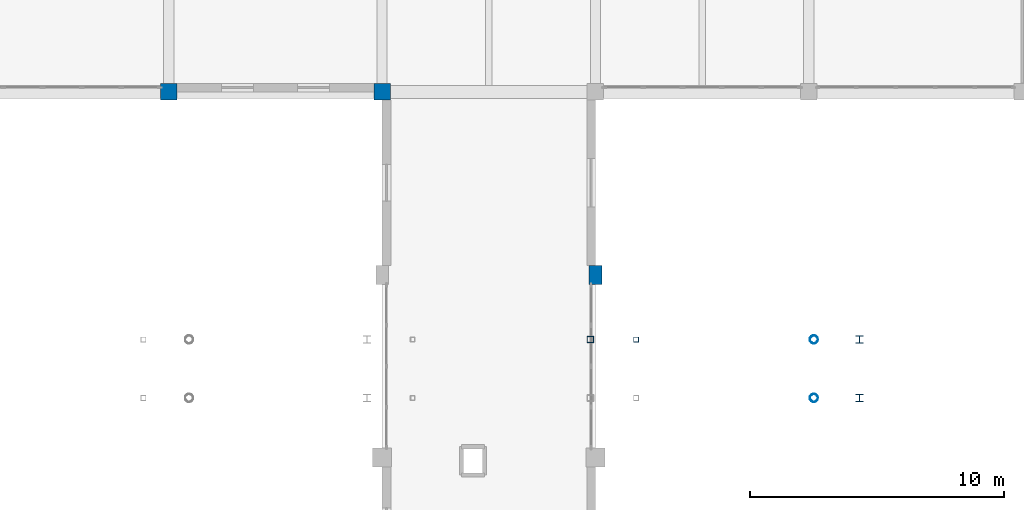
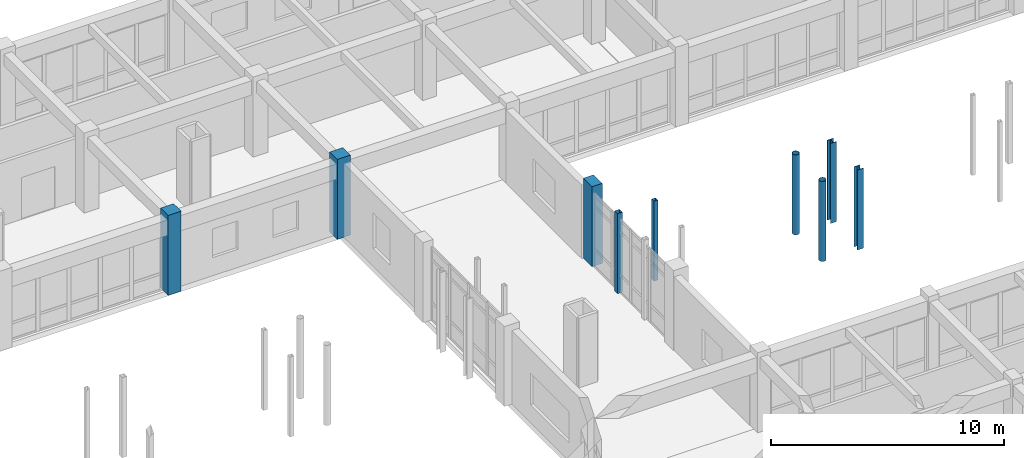
# One storey, part 24 of 147: 9 columns.
"""IFC4 building model written with IfcOpenShell, lengths in metres."""

from ifc_helpers import new_model, si_unit, direction, frame, origin, origin_2d, place, context, subcontext, project, spatial, rectangle, hollow_rectangle, hollow_circle, i_section, extrude, material, material_profile, profile_set, type_object, element, save


model = new_model("IFC4")

# Units and contexts
model_context = context("Model", 3, precision=1e-05, world=origin(), true_north=direction((0.0, 1.0)))
body_context = subcontext(model_context, "Body", "Model", "MODEL_VIEW")
ifc_project = project(units=[si_unit("LENGTHUNIT", "METRE"), si_unit("AREAUNIT", "SQUARE_METRE"), si_unit("VOLUMEUNIT", "CUBIC_METRE"), si_unit("PLANEANGLEUNIT", "RADIAN"), si_unit("MASSUNIT", "GRAM", prefix="KILO")], contexts=[model_context])

# Site, building, storey
site_placement = place(None, origin())
site = spatial("IfcSite", under=ifc_project, at=site_placement, CompositionType="ELEMENT")
building_placement = place(site_placement, origin())
building = spatial("IfcBuilding", under=site, at=building_placement, Name="Malvenik Polytechnic", CompositionType="ELEMENT")
storey_placement = place(building_placement, frame((0.0, 0.0, 5.10009765625)))
storey = spatial("IfcBuildingStorey", under=building, at=storey_placement, Name="L01", CompositionType="ELEMENT", Elevation=5.10009765625)

# Columns
ifc_material_1 = material(Name="Concrete C35/45", Category="concrete")
ifc_material_profile_1 = material_profile(ifc_material_1, rectangle(XDim=0.64990234375, YDim=0.64990234375, at=origin_2d()), Name="RC COL 650x650")
ifc_profile_set_1 = profile_set([ifc_material_profile_1], Name="Concrete C35/45")
column_type_1 = type_object("IfcColumnType", Name="STR-COL-C-05", PredefinedType="COLUMN", material=ifc_profile_set_1)
for number, where, z_axis, x_axis, name in (
    (1, (67.199951171875, 115.199951171875, 0.0), (0.0, 0.0, 1.0), (1.0, 0.0, 0.0), "Column C-05 L01 (67.2,115.2)"),
    (2, (75.60009765625, 115.199951171875, 0.0), (0.0, 0.0, 1.0), (1.0, 0.0, 0.0), "Column C-05 L01 (75.6,115.2)"),
):
    element("IfcColumn", number, at=place(storey_placement, frame(where, z_axis=z_axis, x_axis=x_axis)), inside=storey, type_object=column_type_1, Name=name, PredefinedType="COLUMN", context=body_context, shape_type="SweptSolid", body=[
        extrude(rectangle(XDim=0.64990234375, YDim=0.64990234375, at=origin_2d()), origin(), (0.0, 0.0, 1.0), 4.199951171875),
    ])
ifc_material_profile_2 = material_profile(ifc_material_1, rectangle(XDim=0.5, YDim=0.75, at=origin_2d()), Name="RC COL 750x500")
ifc_profile_set_2 = profile_set([ifc_material_profile_2], Name="Concrete C35/45")
column_type_2 = type_object("IfcColumnType", Name="STR-COL-C-14", PredefinedType="COLUMN", material=ifc_profile_set_2)
column_1_placement = place(storey_placement, frame((84.0, 108.0, 0.0), z_axis=(0.0, 0.0, 1.0), x_axis=(1.0, 0.0, 0.0)))
element("IfcColumn", 3, at=column_1_placement, inside=storey, type_object=column_type_2, Name="Column C-14 L01 (84.0,108.0)", PredefinedType="COLUMN", context=body_context, shape_type="SweptSolid", body=[
    extrude(rectangle(XDim=0.5, YDim=0.75, at=origin_2d()), origin(), (0.0, 0.0, 1.0), 4.199951171875),
])
ifc_material_2 = material(Name="Steel S355J2H", Category="steel")
ifc_material_profile_3 = material_profile(ifc_material_2, hollow_rectangle(XDim=0.25, YDim=0.25, WallThickness=0.010009765625, at=origin_2d()), Name="SHS 250x250x10.0")
ifc_profile_set_3 = profile_set([ifc_material_profile_3], Name="Steel S355J2H")
column_type_3 = type_object("IfcColumnType", Name="STR-SCOL-SC-01", PredefinedType="COLUMN", material=ifc_profile_set_3)
column_2_placement = place(storey_placement, frame((83.800048828125, 105.449951171875, 0.0), z_axis=(0.0, 0.0, 1.0), x_axis=(1.0, 0.0, 0.0)))
element("IfcColumn", 4, at=column_2_placement, inside=storey, type_object=column_type_3, Name="Bridge-Ramp Support Column SC-01 L01", PredefinedType="COLUMN", context=body_context, shape_type="SweptSolid", body=[
    extrude(hollow_rectangle(XDim=0.25, YDim=0.25, WallThickness=0.010009765625, at=origin_2d()), origin(), (0.0, 0.0, 1.0), 4.199951171875),
])
ifc_material_profile_4 = material_profile(ifc_material_2, hollow_rectangle(XDim=0.199951171875, YDim=0.199951171875, WallThickness=0.010009765625, at=origin_2d()), Name="SHS 200x200x10.0")
ifc_profile_set_4 = profile_set([ifc_material_profile_4], Name="Steel S355J2H")
column_type_4 = type_object("IfcColumnType", Name="STR-SCOL-SC-02", PredefinedType="COLUMN", material=ifc_profile_set_4)
column_3_placement = place(storey_placement, frame((85.60009765625, 105.449951171875, 0.0), z_axis=(0.0, 0.0, 1.0), x_axis=(1.0, 0.0, 0.0)))
element("IfcColumn", 5, at=column_3_placement, inside=storey, type_object=column_type_4, Name="Bridge-Ramp Support Column SC-02 L01", PredefinedType="COLUMN", context=body_context, shape_type="SweptSolid", body=[
    extrude(hollow_rectangle(XDim=0.199951171875, YDim=0.199951171875, WallThickness=0.010009765625, at=origin_2d()), origin(), (0.0, 0.0, 1.0), 4.199951171875),
])
ifc_material_profile_5 = material_profile(ifc_material_2, hollow_circle(Radius=0.161865234375, WallThickness=0.012451171875, at=origin_2d()), Name="CHS 323.9x12.5")
ifc_profile_set_5 = profile_set([ifc_material_profile_5], Name="Steel S355J2H")
column_type_5 = type_object("IfcColumnType", Name="STR-SCOL-SC-04", PredefinedType="COLUMN", material=ifc_profile_set_5)
for number, where, z_axis, x_axis, name in (
    (6, (92.60009765625, 103.14990234375, 0.0), (0.0, 0.0, 1.0), (1.0, 0.0, 0.0), "Bridge-Ramp Support Column SC-04 L01"),
    (7, (92.60009765625, 105.449951171875, 0.0), (0.0, 0.0, 1.0), (1.0, 0.0, 0.0), "Bridge-Ramp Support Column SC-04 L01"),
):
    element("IfcColumn", number, at=place(storey_placement, frame(where, z_axis=z_axis, x_axis=x_axis)), inside=storey, type_object=column_type_5, Name=name, PredefinedType="COLUMN", context=body_context, shape_type="SweptSolid", body=[
        extrude(hollow_circle(Radius=0.161865234375, WallThickness=0.012451171875, at=origin_2d()), origin(), (0.0, 0.0, 1.0), 4.199951171875),
    ])
ifc_material_3 = material(Name="Steel S355", Category="steel")
ifc_material_profile_6 = material_profile(ifc_material_3, i_section(OverallWidth=0.300048828125, OverallDepth=0.300048828125, WebThickness=0.010986328125, FlangeThickness=0.01904296875, FilletRadius=0.027099609375, at=origin_2d()), Name="HEB 300")
ifc_profile_set_6 = profile_set([ifc_material_profile_6], Name="Steel S355")
column_type_6 = type_object("IfcColumnType", Name="STR-SCOL-SC-05", PredefinedType="COLUMN", material=ifc_profile_set_6)
for number, where, z_axis, x_axis, name in (
    (8, (94.39990234375, 103.14990234375, 0.0), (0.0, 0.0, 1.0), (1.0, 0.0, 0.0), "Bridge-Ramp Support Column SC-05 L01"),
    (9, (94.39990234375, 105.449951171875, 0.0), (0.0, 0.0, 1.0), (1.0, 0.0, 0.0), "Bridge-Ramp Support Column SC-05 L01"),
):
    element("IfcColumn", number, at=place(storey_placement, frame(where, z_axis=z_axis, x_axis=x_axis)), inside=storey, type_object=column_type_6, Name=name, PredefinedType="COLUMN", context=body_context, shape_type="SweptSolid", body=[
        extrude(i_section(OverallWidth=0.300048828125, OverallDepth=0.300048828125, WebThickness=0.010986328125, FlangeThickness=0.01904296875, FilletRadius=0.027099609375, at=origin_2d()), origin(), (0.0, 0.0, 1.0), 4.199951171875),
    ])

save(model, "model.ifc")
